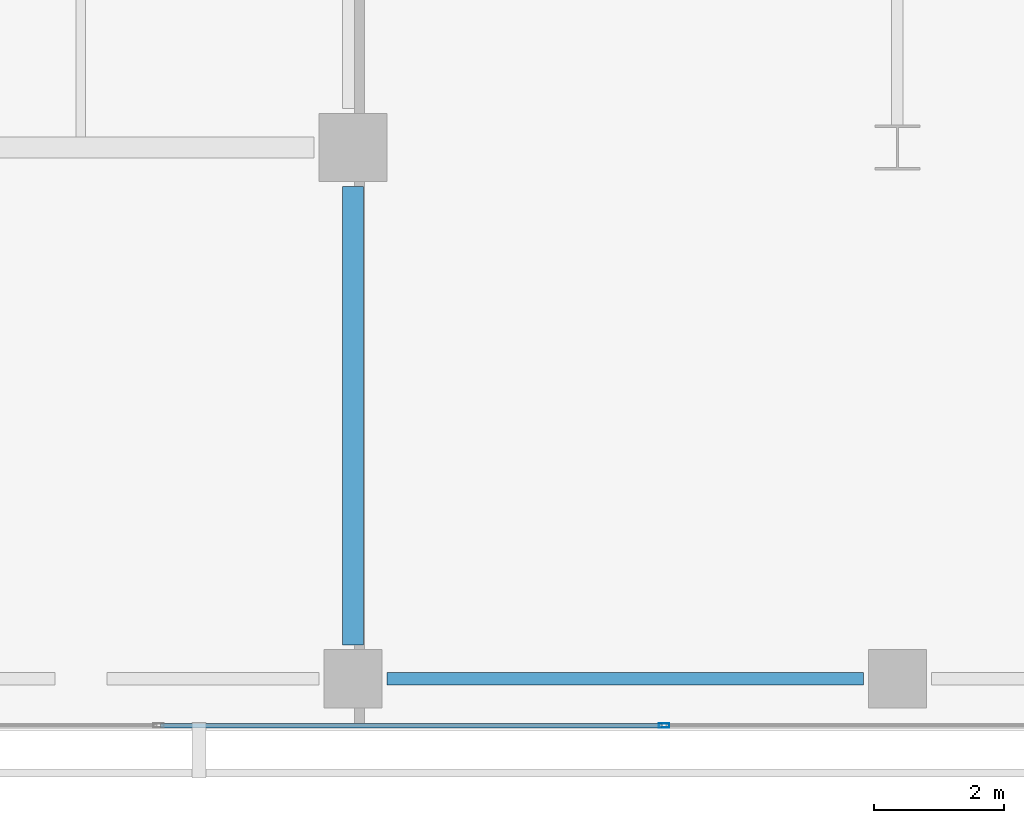
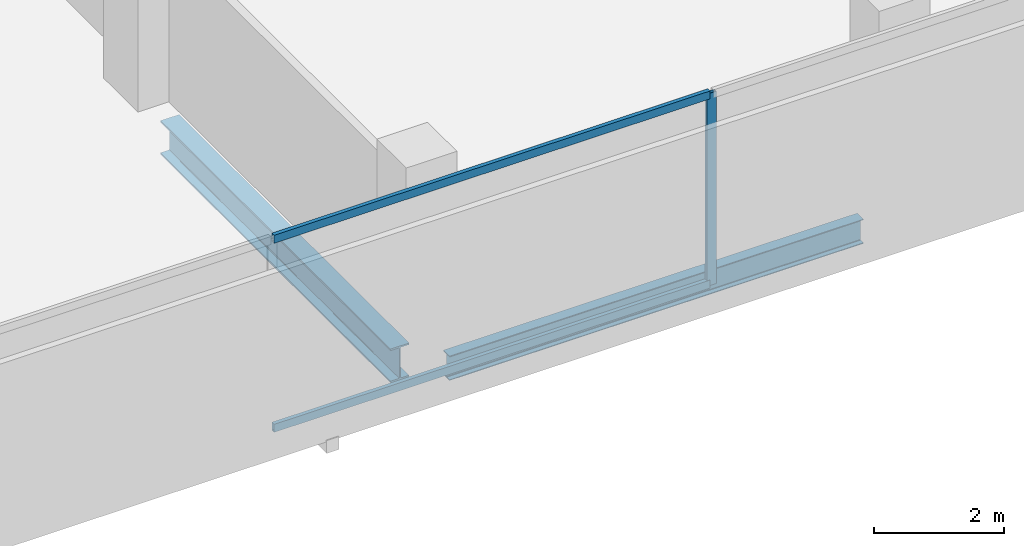
# One storey, part 4 of 31: 3 members, 2 beams, 1 element without a shape of its own.
"""IFC4 building model written with IfcOpenShell, lengths in metres."""

from ifc_helpers import new_model, si_unit, direction, frame, origin, origin_2d, place, context, subcontext, project, spatial, hollow_rectangle, i_section, extrude, material, layer, layer_set, material_profile, profile_set, type_object, element, aggregate, save


model = new_model("IFC4")

# Units and contexts
model_context = context("Model", 3, precision=1e-05, world=origin(), true_north=direction((0.0, 1.0)))
body_context = subcontext(model_context, "Body", "Model", "MODEL_VIEW")
ifc_project = project(units=[si_unit("LENGTHUNIT", "METRE"), si_unit("AREAUNIT", "SQUARE_METRE"), si_unit("VOLUMEUNIT", "CUBIC_METRE"), si_unit("PLANEANGLEUNIT", "RADIAN"), si_unit("MASSUNIT", "GRAM", prefix="KILO")], contexts=[model_context])

# Site, building, storey
site_placement = place(None, origin())
site = spatial("IfcSite", under=ifc_project, at=site_placement, CompositionType="ELEMENT")
building_placement = place(site_placement, origin())
building = spatial("IfcBuilding", under=site, at=building_placement, Name="Maruvema Waterfront Hotel and Observation Tower", CompositionType="ELEMENT")
storey_placement = place(building_placement, frame((0.0, 0.0, 26.949951171875)))
storey = spatial("IfcBuildingStorey", under=building, at=storey_placement, Name="L05", CompositionType="ELEMENT", Elevation=26.949951171875)

# Curtain wall, members
ifc_material_1 = material(Name="Anodised bronze aluminium and solar-control low-E IGU", Category="aluminium")
ifc_layer = layer(ifc_material_1, 0.159912109375, Name="Zone 1 Bronze Inner Thermal Curtain Wall System CW-02")
ifc_layer_set = layer_set([ifc_layer], Name="Anodised bronze aluminium and solar-control low-E IGU")
curtain_wall_type = type_object("IfcCurtainWallType", Name="Zone 1 Bronze Inner Thermal Curtain Wall System CW-02", PredefinedType="USERDEFINED", material=ifc_layer_set)
curtain_wall_placement = place(storey_placement, origin())
curtain_wall = element("IfcCurtainWall", 1, at=curtain_wall_placement, inside=storey, type_object=curtain_wall_type, Name="L05 Curtain Wall CW-L05-S", ObjectType="UNITISED CURTAIN WALL", PredefinedType="USERDEFINED")
ifc_material_2 = material(Name="Anodised architectural bronze aluminium", Category="aluminium")
ifc_material_profile_1 = material_profile(ifc_material_2, hollow_rectangle(XDim=0.070068359375, YDim=0.14990234375, WallThickness=0.00390625, at=origin_2d()), Name="ALU-T70x150")
ifc_profile_set_1 = profile_set([ifc_material_profile_1], Name="Anodised architectural bronze aluminium")
member_type_1 = type_object("IfcMemberType", Name="Curtain Wall Horizontal Transom ALU-T70x150", PredefinedType="USERDEFINED", material=ifc_profile_set_1)
member_1_placement = place(storey_placement, frame((22.22998046875, 0.080078125, 0.030029296875), z_axis=(1.0, 0.0, 0.0), x_axis=(0.0, 1.0, 0.0)))
member_1 = element("IfcMember", 2, at=member_1_placement, type_object=member_type_1, Name="CW-02 transom 2.1", ObjectType="TRANSOM", PredefinedType="USERDEFINED", context=body_context, shape_type="SweptSolid", body=[
    extrude(hollow_rectangle(XDim=0.070068359375, YDim=0.14990234375, WallThickness=0.00390625, at=origin_2d()), origin(), (0.0, 0.0, 1.0), 7.739990234375),
])
member_2_placement = place(storey_placement, frame((22.22998046875, 0.080078125, 3.580078125), z_axis=(1.0, 0.0, 0.0), x_axis=(0.0, 1.0, 0.0)))
member_2 = element("IfcMember", 3, at=member_2_placement, type_object=member_type_1, Name="CW-02 transom 2.2", ObjectType="TRANSOM", PredefinedType="USERDEFINED", context=body_context, shape_type="SweptSolid", body=[
    extrude(hollow_rectangle(XDim=0.070068359375, YDim=0.14990234375, WallThickness=0.00390625, at=origin_2d()), origin(), (0.0, 0.0, 1.0), 7.739990234375),
])
ifc_material_3 = material(Name="Anodised architectural bronze aluminium", Category="aluminium")
ifc_material_profile_2 = material_profile(ifc_material_3, hollow_rectangle(XDim=0.06494140625, YDim=0.1650390625, WallThickness=0.00390625, at=origin_2d()), Name="ALU-M65x165")
ifc_profile_set_2 = profile_set([ifc_material_profile_2], Name="Anodised architectural bronze aluminium")
member_type_2 = type_object("IfcMemberType", Name="Curtain Wall Primary Mullion ALU-M65x165", PredefinedType="MULLION", material=ifc_profile_set_2)
member_3_placement = place(storey_placement, frame((30.0, 0.080078125, 0.0), z_axis=(0.0, 0.0, 1.0), x_axis=(0.0, 1.0, 0.0)))
member_3 = element("IfcMember", 4, at=member_3_placement, type_object=member_type_2, Name="CW-02 mullion 3", PredefinedType="MULLION", context=body_context, shape_type="SweptSolid", body=[
    extrude(hollow_rectangle(XDim=0.06494140625, YDim=0.1650390625, WallThickness=0.00390625, at=origin_2d()), origin(), (0.0, 0.0, 1.0), 3.610107421875),
])
aggregate(curtain_wall, [member_3, member_1, member_2])

# Beams
ifc_material_4 = material(Name="Steel ASTM A572 Grade 50", Category="steel")
ifc_material_profile_3 = material_profile(ifc_material_4, i_section(OverallWidth=0.18994140625, OverallDepth=0.45703125, WebThickness=0.009033203125, FlangeThickness=0.014404296875, FilletRadius=0.014892578125, at=origin_2d()), Name="W460x74.0")
ifc_profile_set_3 = profile_set([ifc_material_profile_3], Name="Steel ASTM A572 Grade 50")
beam_type_1 = type_object("IfcBeamType", Name="Perimeter Spandrel Beam W460x74.0", PredefinedType="SPANDREL", material=ifc_profile_set_3)
beam_1_placement = place(storey_placement, frame((25.72509765625, 0.800048828125, -0.468505859375), z_axis=(1.0, 0.0, 0.0), x_axis=(0.0, 1.0, 0.0)))
element("IfcBeam", 5, at=beam_1_placement, inside=storey, type_object=beam_type_1, Name="L05 Floor Girder EW-03", PredefinedType="SPANDREL", context=body_context, shape_type="SweptSolid", body=[
    extrude(i_section(OverallWidth=0.18994140625, OverallDepth=0.45703125, WebThickness=0.009033203125, FlangeThickness=0.014404296875, FilletRadius=0.014892578125, at=origin_2d()), origin(), (0.0, 0.0, 1.0), 7.349853515625),
])
ifc_material_5 = material(Name="Steel ASTM A572 Grade 50", Category="steel")
ifc_material_profile_4 = material_profile(ifc_material_5, i_section(OverallWidth=0.3291015625, OverallDepth=0.635009765625, WebThickness=0.017822265625, FlangeThickness=0.031005859375, FilletRadius=0.01806640625, at=origin_2d()), Name="W610x241.0")
ifc_profile_set_4 = profile_set([ifc_material_profile_4], Name="Steel ASTM A572 Grade 50")
beam_type_2 = type_object("IfcBeamType", Name="Primary Floor Girder W610x241.0", PredefinedType="BEAM", material=ifc_profile_set_4)
beam_2_placement = place(storey_placement, frame((25.199951171875, 1.324951171875, -0.557373046875), z_axis=(0.0, 1.0, 0.0), x_axis=(-1.0, 0.0, 0.0)))
element("IfcBeam", 6, at=beam_2_placement, inside=storey, type_object=beam_type_2, Name="L05 Floor Girder NS-07", PredefinedType="BEAM", context=body_context, shape_type="SweptSolid", body=[
    extrude(i_section(OverallWidth=0.3291015625, OverallDepth=0.635009765625, WebThickness=0.017822265625, FlangeThickness=0.031005859375, FilletRadius=0.01806640625, at=origin_2d()), origin(), (0.0, 0.0, 1.0), 7.074951171875),
])

save(model, "model.ifc")
